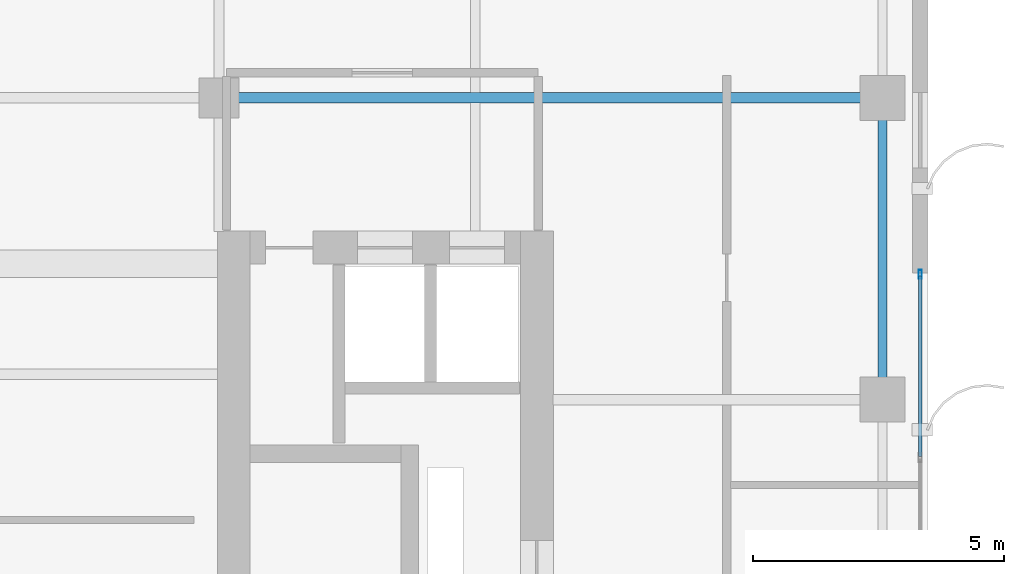
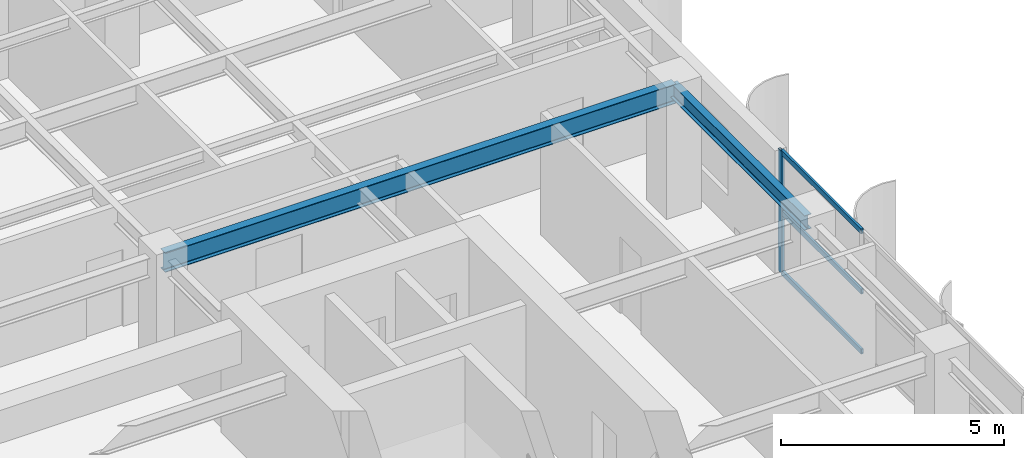
# One storey, part 10 of 22: 4 members, 2 beams, 1 element without a shape of its own.
"""IFC4 building model written with IfcOpenShell, lengths in metres."""

from ifc_helpers import new_model, si_unit, direction, frame, origin, origin_2d, place, context, subcontext, project, spatial, hollow_rectangle, i_section, extrude, source, transform, mapped, material, layer, layer_set, material_profile, profile_set, type_object, element, aggregate, save


model = new_model("IFC4")

# Units and contexts
model_context = context("Model", 3, precision=1e-05, world=origin(), true_north=direction((0.0, 1.0)))
body_context = subcontext(model_context, "Body", "Model", "MODEL_VIEW")
ifc_project = project(units=[si_unit("LENGTHUNIT", "METRE"), si_unit("AREAUNIT", "SQUARE_METRE"), si_unit("VOLUMEUNIT", "CUBIC_METRE"), si_unit("PLANEANGLEUNIT", "RADIAN"), si_unit("MASSUNIT", "GRAM", prefix="KILO")], contexts=[model_context])

# Site, building, storey
site_placement = place(None, origin())
site = spatial("IfcSite", under=ifc_project, at=site_placement, CompositionType="ELEMENT")
building_placement = place(site_placement, origin())
building = spatial("IfcBuilding", under=site, at=building_placement, Name="Khoralis Quay Care Tower", CompositionType="ELEMENT")
storey_placement = place(building_placement, frame((0.0, 0.0, 170.10009765625)))
storey = spatial("IfcBuildingStorey", under=building, at=storey_placement, Name="L44", CompositionType="ELEMENT", Elevation=170.10009765625)

# Beams
ifc_material_1 = material(Name="Steel S355", Category="steel")
ifc_material_profile_1 = material_profile(ifc_material_1, i_section(OverallWidth=0.179931640625, OverallDepth=0.39990234375, WebThickness=0.008544921875, FlangeThickness=0.013427734375, FilletRadius=0.02099609375, at=origin_2d()), Name="Steel S355")
ifc_profile_set_1 = profile_set([ifc_material_profile_1], Name="Steel S355")
beam_type_1 = type_object("IfcBeamType", Name="BM-IPE400", PredefinedType="SPANDREL", material=ifc_profile_set_1)
shared_shape_1 = source(origin(), body_context, "Body", "SweptSolid", [
    extrude(i_section(OverallWidth=0.179931640625, OverallDepth=0.39990234375, WebThickness=0.008544921875, FlangeThickness=0.013427734375, FilletRadius=0.02099609375, at=origin_2d()), origin(), (0.0, 0.0, 1.0), 6.0),
])
beam_1_placement = place(storey_placement, frame((44.10009765625, 24.0, 3.139892578125), z_axis=(0.0, 1.0, 0.0), x_axis=(-1.0, 0.0, 0.0)))
element("IfcBeam", 1, at=beam_1_placement, inside=storey, type_object=beam_type_1, Name="BM-TSP-L44-17", PredefinedType="SPANDREL", context=body_context, shape_type="MappedRepresentation", body=[
    mapped(shared_shape_1, transform((0.0, 0.0, 0.0), scale=1.0)),
])
ifc_material_profile_2 = material_profile(ifc_material_1, i_section(OverallWidth=0.208984375, OverallDepth=0.532958984375, WebThickness=0.01025390625, FlangeThickness=0.015625, FilletRadius=0.01611328125, at=origin_2d()), Name="Steel S355")
ifc_profile_set_2 = profile_set([ifc_material_profile_2], Name="Steel S355")
beam_type_2 = type_object("IfcBeamType", Name="BM-W530X92", PredefinedType="BEAM", material=ifc_profile_set_2)
shared_shape_2 = source(origin(), body_context, "Body", "SweptSolid", [
    extrude(i_section(OverallWidth=0.208984375, OverallDepth=0.532958984375, WebThickness=0.01025390625, FlangeThickness=0.015625, FilletRadius=0.01611328125, at=origin_2d()), origin(), (0.0, 0.0, 1.0), 13.2001953125),
])
beam_2_placement = place(storey_placement, frame((30.89990234375, 30.0, 3.073486328125), z_axis=(1.0, 0.0, 0.0), x_axis=(0.0, 1.0, 0.0)))
element("IfcBeam", 2, at=beam_2_placement, inside=storey, type_object=beam_type_2, Name="BM-TGXE-L44-300", PredefinedType="BEAM", context=body_context, shape_type="MappedRepresentation", body=[
    mapped(shared_shape_2, transform((0.0, 0.0, 0.0), scale=1.0)),
])

# Curtain wall, members
ifc_material_2 = material(Name="Pale anodised aluminium", Category="aluminium")
ifc_layer = layer(ifc_material_2, 0.159912109375)
ifc_layer_set = layer_set([ifc_layer], Name="Pale anodised aluminium")
curtain_wall_type = type_object("IfcCurtainWallType", Name="CW-SYS-Z3", PredefinedType="NOTDEFINED", material=ifc_layer_set)
curtain_wall_placement = place(storey_placement, origin())
curtain_wall = element("IfcCurtainWall", 3, at=curtain_wall_placement, inside=storey, type_object=curtain_wall_type, Name="L44 Unitised Curtain Wall CW-L44-P1-E5", PredefinedType="NOTDEFINED")
ifc_material_profile_3 = material_profile(ifc_material_2, hollow_rectangle(XDim=0.06494140625, YDim=0.179931640625, WallThickness=0.00390625, at=origin_2d()), Name="Pale anodised aluminium")
ifc_profile_set_3 = profile_set([ifc_material_profile_3], Name="Pale anodised aluminium")
member_type_1 = type_object("IfcMemberType", Name="CW-MUL-180", PredefinedType="MULLION", material=ifc_profile_set_3)
shared_shape_3 = source(origin(), body_context, "Body", "SweptSolid", [
    extrude(hollow_rectangle(XDim=0.06494140625, YDim=0.179931640625, WallThickness=0.00390625, at=origin_2d()), origin(), (0.0, 0.0, 1.0), 3.33984375),
])
member_1_placement = place(storey_placement, frame((44.85009765625, 26.489990234375, 0.0), z_axis=(0.0, 0.0, 1.0), x_axis=(-1.0, 0.0, 0.0)))
member_1 = element("IfcMember", 4, at=member_1_placement, type_object=member_type_1, Name="CW3 mullion 4", PredefinedType="MULLION", context=body_context, shape_type="MappedRepresentation", body=[
    mapped(shared_shape_3, transform((0.0, 0.0, 0.0), scale=1.0)),
])
ifc_material_profile_4 = material_profile(ifc_material_2, hollow_rectangle(XDim=0.06005859375, YDim=0.139892578125, WallThickness=0.00390625, at=origin_2d()), Name="Pale anodised aluminium")
ifc_profile_set_4 = profile_set([ifc_material_profile_4], Name="Pale anodised aluminium")
member_type_2 = type_object("IfcMemberType", Name="CW-TRN-140", PredefinedType="USERDEFINED", material=ifc_profile_set_4)
shared_shape_4 = source(origin(), body_context, "Body", "SweptSolid", [
    extrude(hollow_rectangle(XDim=0.06005859375, YDim=0.139892578125, WallThickness=0.00390625, at=origin_2d()), origin(), (0.0, 0.0, 1.0), 3.58984375),
])
member_2_placement = place(storey_placement, frame((44.85009765625, 22.8701171875, 0.02978515625), z_axis=(0.0, 1.0, 0.0), x_axis=(-1.0, 0.0, 0.0)))
member_2 = element("IfcMember", 5, at=member_2_placement, type_object=member_type_2, Name="CW3 transom 3.1", ObjectType="TRANSOM", PredefinedType="USERDEFINED", context=body_context, shape_type="MappedRepresentation", body=[
    mapped(shared_shape_4, transform((0.0, 0.0, 0.0), scale=1.0)),
])
member_3_placement = place(storey_placement, frame((44.85009765625, 22.8701171875, 1.669921875), z_axis=(0.0, 1.0, 0.0), x_axis=(-1.0, 0.0, 0.0)))
member_3 = element("IfcMember", 6, at=member_3_placement, type_object=member_type_2, Name="CW3 transom 3.2", ObjectType="TRANSOM", PredefinedType="USERDEFINED", context=body_context, shape_type="MappedRepresentation", body=[
    mapped(shared_shape_4, transform((0.0, 0.0, 0.0), scale=1.0)),
])
member_4_placement = place(storey_placement, frame((44.85009765625, 22.8701171875, 3.309814453125), z_axis=(0.0, 1.0, 0.0), x_axis=(-1.0, 0.0, 0.0)))
member_4 = element("IfcMember", 7, at=member_4_placement, type_object=member_type_2, Name="CW3 transom 3.3", ObjectType="TRANSOM", PredefinedType="USERDEFINED", context=body_context, shape_type="MappedRepresentation", body=[
    mapped(shared_shape_4, transform((0.0, 0.0, 0.0), scale=1.0)),
])
aggregate(curtain_wall, [member_1, member_2, member_3, member_4])

save(model, "model.ifc")
